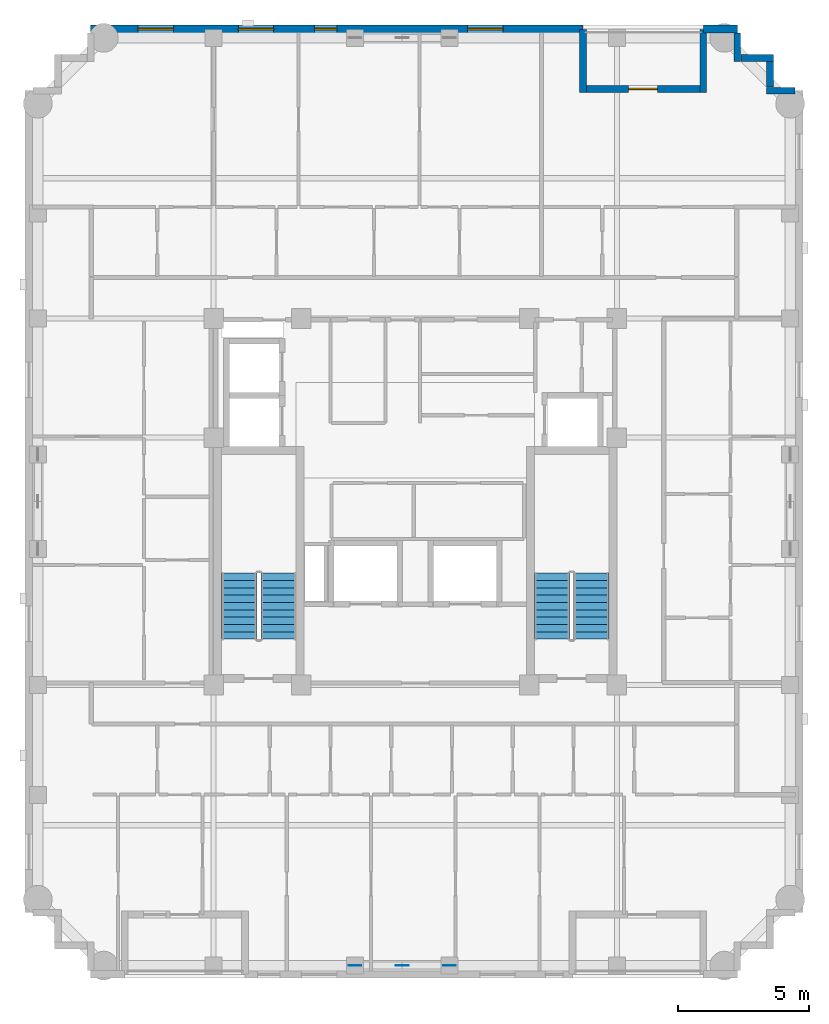
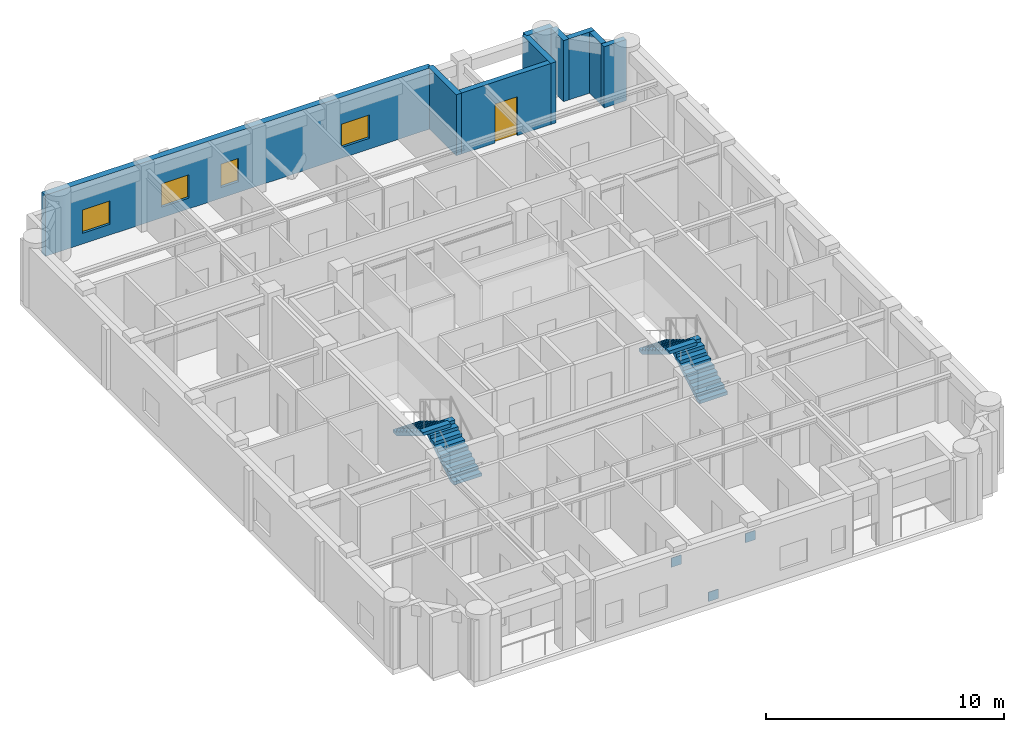
# One storey, part 8 of 11: 9 walls, 4 stair flights, 4 windows, 3 discrete accessories, 1 door, 5 openings, 2 elements without a shape of their own.
"""IFC4 building model written with IfcOpenShell, lengths in metres."""

from ifc_helpers import new_model, si_unit, derived_unit, direction, frame, frame_2d, origin, origin_2d, place, context, subcontext, project, spatial, polyline, rectangle, outline, extrude, material, layer, layer_set, type_object, element, fill, aggregate, save


model = new_model("IFC4")

# Units and contexts
model_context = context("Model", 3, precision=1e-05, world=origin(), true_north=direction((0.0, 1.0)))
body_context = subcontext(model_context, "Body", "Model", "MODEL_VIEW")
ifc_project = project(units=[si_unit("LENGTHUNIT", "METRE"), si_unit("AREAUNIT", "SQUARE_METRE"), si_unit("VOLUMEUNIT", "CUBIC_METRE"), si_unit("PLANEANGLEUNIT", "RADIAN"), si_unit("MASSUNIT", "GRAM", prefix="KILO"), derived_unit("THERMALTRANSMITTANCEUNIT", [(si_unit("MASSUNIT", "GRAM", prefix="KILO"), 1), (si_unit("TIMEUNIT", "SECOND"), -3), (si_unit("THERMODYNAMICTEMPERATUREUNIT", "KELVIN"), -1)])], contexts=[model_context])

# Site, building, storey
site_placement = place(None, origin())
site = spatial("IfcSite", under=ifc_project, at=site_placement, CompositionType="ELEMENT")
building_placement = place(site_placement, origin())
building = spatial("IfcBuilding", under=site, at=building_placement, Name="Korrvale Station Residences", CompositionType="ELEMENT")
storey_placement = place(building_placement, frame((0.0, 0.0, 230.89990234375)))
storey = spatial("IfcBuildingStorey", under=building, at=storey_placement, Name="L67", CompositionType="ELEMENT", Elevation=230.89990234375)

# Wall
ifc_material_1 = material(Name="Precast concrete C45/55", Category="concrete")
ifc_layer_1 = layer(ifc_material_1, 0.260009765625, Name="Precast concrete C45/55")
ifc_layer_set_1 = layer_set([ifc_layer_1], Name="Precast concrete C45/55")
wall_type_1 = type_object("IfcWallType", Name="WAL-EXT-LOG260", PredefinedType="SOLIDWALL", material=ifc_layer_set_1)
wall_1_placement = place(storey_placement, frame((31.89990234375, 40.0400390625, 0.0), z_axis=(0.0, 0.0, 1.0), x_axis=(0.0, -1.0, 0.0)))
element("IfcWall", 1, at=wall_1_placement, inside=storey, type_object=wall_type_1, Name="L67 Recessed Loggia Wall BAL-L67-N1-L", PredefinedType="SOLIDWALL", context=body_context, shape_type="SweptSolid", body=[
    extrude(rectangle(XDim=2.400146484375, YDim=0.260009765625, at=frame_2d((1.2001953125, 0.0))), origin(), (0.0, 0.0, 1.0), 3.14013671875),
])

# Wall, opening, door
wall_2_placement = place(storey_placement, frame((32.033935546875, 37.77001953125, 0.0), z_axis=(0.0, 0.0, 1.0), x_axis=(1.0, 0.0, 0.0)))
wall_2 = element("IfcWall", 2, at=wall_2_placement, inside=storey, type_object=wall_type_1, Name="L67 Recessed Loggia Wall BAL-L67-N1-B", PredefinedType="SOLIDWALL", context=body_context, shape_type="SweptSolid", body=[
    extrude(rectangle(XDim=4.33203125, YDim=0.260009765625, at=frame_2d((2.166015625, 0.0))), origin(), (0.0, 0.0, 1.0), 3.14013671875),
])
opening_1_placement = place(wall_2_placement, frame((1.615966796875, 0.0, 0.0)))
opening_1 = element("IfcOpeningElement", 3, at=opening_1_placement, cuts=wall_2, Name="Opening BD-01", PredefinedType="OPENING", context=body_context, shape_type="SweptSolid", body=[
    extrude(rectangle(XDim=1.10009765625, YDim=2.0, at=frame_2d((0.550048828125, 1.0))), frame((0.0, 0.14013671875, 0.0), z_axis=(0.0, -1.0, 0.0), x_axis=(1.0, 0.0, 0.0)), (0.0, 0.0, 1.0), 0.280029296875),
])
ifc_material_2 = material(Name="Exterior thermally broken aluminium glazed balcony door", Category="aluminium")
door_type = type_object("IfcDoorType", Name="DR-EXT-BAL", OperationType="NOTDEFINED", PredefinedType="DOOR", material=ifc_material_2)
door_placement = place(opening_1_placement, origin())
door = element("IfcDoor", 4, at=door_placement, inside=storey, type_object=door_type, Name="L67 Loggia Balcony Door BAL-L67-N1", OperationType="SINGLE_SWING_RIGHT", OverallHeight=2.0, OverallWidth=1.10009765625, PredefinedType="DOOR", context=body_context, shape_type="SweptSolid", body=[
    extrude(rectangle(XDim=1.10009765625, YDim=2.0, at=frame_2d((0.550048828125, 1.0))), frame((0.0, 0.02490234375, 0.0), z_axis=(0.0, -1.0, 0.0), x_axis=(1.0, 0.0, 0.0)), (0.0, 0.0, 1.0), 0.050048828125),
])
fill(opening_1, door)

# Walls
wall_3_placement = place(storey_placement, frame((36.5, 37.639892578125, 0.0), z_axis=(0.0, 0.0, 1.0), x_axis=(0.0, 1.0, 0.0)))
element("IfcWall", 5, at=wall_3_placement, inside=storey, type_object=wall_type_1, Name="L67 Recessed Loggia Wall BAL-L67-N1-R", PredefinedType="SOLIDWALL", context=body_context, shape_type="SweptSolid", body=[
    extrude(rectangle(XDim=2.400146484375, YDim=0.260009765625, at=frame_2d((1.2001953125, 0.0))), origin(), (0.0, 0.0, 1.0), 3.14013671875),
])
wall_4_placement = place(storey_placement, frame((37.800048828125, 39.89794921875, 0.0), z_axis=(0.0, 0.0, 1.0), x_axis=(0.0, -1.0, 0.0)))
element("IfcWall", 6, at=wall_4_placement, inside=storey, type_object=wall_type_1, Name="L67 Serrated Corner Precast Step NE-1", PredefinedType="SOLIDWALL", context=body_context, shape_type="SweptSolid", body=[
    extrude(rectangle(XDim=1.077880859375, YDim=0.260009765625, at=frame_2d((0.5390625, 0.0))), origin(), (0.0, 0.0, 1.0), 3.14013671875),
])
wall_5_placement = place(storey_placement, frame((37.931884765625, 38.949951171875, 0.0), z_axis=(0.0, 0.0, 1.0), x_axis=(1.0, 0.0, 0.0)))
element("IfcWall", 7, at=wall_5_placement, inside=storey, type_object=wall_type_1, Name="L67 Serrated Corner Precast Step NE-2", PredefinedType="SOLIDWALL", context=body_context, shape_type="SweptSolid", body=[
    extrude(rectangle(XDim=1.248046875, YDim=0.260009765625, at=frame_2d((0.6240234375, 0.0))), origin(), (0.0, 0.0, 1.0), 3.14013671875),
])
wall_6_placement = place(storey_placement, frame((39.050048828125, 38.818115234375, 0.0), z_axis=(0.0, 0.0, 1.0), x_axis=(0.0, -1.0, 0.0)))
element("IfcWall", 8, at=wall_6_placement, inside=storey, type_object=wall_type_1, Name="L67 Serrated Corner Precast Step NE-3", PredefinedType="SOLIDWALL", context=body_context, shape_type="SweptSolid", body=[
    extrude(rectangle(XDim=0.986083984375, YDim=0.260009765625, at=frame_2d((0.4931640625, 0.0))), origin(), (0.0, 0.0, 1.0), 3.14013671875),
])
wall_7_placement = place(storey_placement, frame((38.919921875, 37.699951171875, 0.0), z_axis=(0.0, 0.0, 1.0), x_axis=(1.0, 0.0, 0.0)))
element("IfcWall", 9, at=wall_7_placement, inside=storey, type_object=wall_type_1, Name="L67 Serrated Corner Precast Step NE-4", PredefinedType="SOLIDWALL", context=body_context, shape_type="SweptSolid", body=[
    extrude(rectangle(XDim=1.078125, YDim=0.260009765625, at=frame_2d((0.5390625, 0.0))), origin(), (0.0, 0.0, 1.0), 3.14013671875),
])

# Wall, openings, windows
ifc_layer_2 = layer(ifc_material_1, 0.300048828125, Name="Precast concrete C45/55")
ifc_layer_set_2 = layer_set([ifc_layer_2], Name="Precast concrete C45/55")
wall_type_2 = type_object("IfcWallType", Name="WAL-EXT-PC300", PredefinedType="SOLIDWALL", material=ifc_layer_set_2)
wall_8_placement = place(storey_placement, frame((13.10009765625, 40.050048828125, 0.0), z_axis=(0.0, 0.0, 1.0), x_axis=(1.0, 0.0, 0.0)))
wall_8 = element("IfcWall", 10, at=wall_8_placement, inside=storey, type_object=wall_type_2, Name="L67 North Exterior Precast Wall 1", PredefinedType="SOLIDWALL", context=body_context, shape_type="SweptSolid", body=[
    extrude(rectangle(XDim=18.7998046875, YDim=0.300048828125, at=frame_2d((9.39990234375, 0.0))), origin(), (0.0, 0.0, 1.0), 3.14013671875),
])
opening_2_placement = place(wall_8_placement, frame((1.805908203125, 0.0, 0.550048828125)))
opening_2 = element("IfcOpeningElement", 11, at=opening_2_placement, cuts=wall_8, Name="Opening W-10", PredefinedType="OPENING", context=body_context, shape_type="SweptSolid", body=[
    extrude(rectangle(XDim=1.35009765625, YDim=1.199951171875, at=frame_2d((0.675048828125, 0.60009765625))), frame((0.0, 0.16015625, 0.0), z_axis=(0.0, -1.0, 0.0), x_axis=(1.0, 0.0, 0.0)), (0.0, 0.0, 1.0), 0.320068359375),
])
opening_3_placement = place(wall_8_placement, frame((5.64111328125, 0.0, 0.550048828125)))
opening_3 = element("IfcOpeningElement", 12, at=opening_3_placement, cuts=wall_8, Name="Opening W-10", PredefinedType="OPENING", context=body_context, shape_type="SweptSolid", body=[
    extrude(rectangle(XDim=1.35009765625, YDim=1.199951171875, at=frame_2d((0.675048828125, 0.60009765625))), frame((0.0, 0.16015625, 0.0), z_axis=(0.0, -1.0, 0.0), x_axis=(1.0, 0.0, 0.0)), (0.0, 0.0, 1.0), 0.320068359375),
])
opening_4_placement = place(wall_8_placement, frame((8.550048828125, 0.0, 0.550048828125)))
opening_4 = element("IfcOpeningElement", 13, at=opening_4_placement, cuts=wall_8, Name="Opening W-11", PredefinedType="OPENING", context=body_context, shape_type="SweptSolid", body=[
    extrude(rectangle(XDim=0.85009765625, YDim=1.199951171875, at=frame_2d((0.425048828125, 0.60009765625))), frame((0.0, 0.16015625, 0.0), z_axis=(0.0, -1.0, 0.0), x_axis=(1.0, 0.0, 0.0)), (0.0, 0.0, 1.0), 0.320068359375),
])
opening_5_placement = place(wall_8_placement, frame((14.39990234375, 0.0, 0.550048828125)))
opening_5 = element("IfcOpeningElement", 14, at=opening_5_placement, cuts=wall_8, Name="Opening W-10", PredefinedType="OPENING", context=body_context, shape_type="SweptSolid", body=[
    extrude(rectangle(XDim=1.35009765625, YDim=1.199951171875, at=frame_2d((0.675048828125, 0.60009765625))), frame((0.0, 0.16015625, 0.0), z_axis=(0.0, -1.0, 0.0), x_axis=(1.0, 0.0, 0.0)), (0.0, 0.0, 1.0), 0.320068359375),
])
ifc_material_3 = material(Name="Thermally broken aluminium frame with triple low-e glazing", Category="aluminium")
window_type_1 = type_object("IfcWindowType", Name="WIN-W10", PartitioningType="SINGLE_PANEL", PredefinedType="WINDOW", material=ifc_material_3)
window_1_placement = place(opening_2_placement, origin())
window_1 = element("IfcWindow", 15, at=window_1_placement, inside=storey, type_object=window_type_1, Name="L67 Punched Window 08", OverallHeight=1.199951171875, OverallWidth=1.35009765625, PartitioningType="SINGLE_PANEL", PredefinedType="WINDOW", context=body_context, shape_type="SweptSolid", body=[
    extrude(rectangle(XDim=1.35009765625, YDim=1.199951171875, at=frame_2d((0.675048828125, 0.60009765625))), frame((0.0, 0.030029296875, 0.0), z_axis=(0.0, -1.0, 0.0), x_axis=(1.0, 0.0, 0.0)), (0.0, 0.0, 1.0), 0.06005859375),
])
fill(opening_2, window_1)
window_2_placement = place(opening_3_placement, origin())
window_2 = element("IfcWindow", 16, at=window_2_placement, inside=storey, type_object=window_type_1, Name="L67 Punched Window 09", OverallHeight=1.199951171875, OverallWidth=1.35009765625, PartitioningType="SINGLE_PANEL", PredefinedType="WINDOW", context=body_context, shape_type="SweptSolid", body=[
    extrude(rectangle(XDim=1.35009765625, YDim=1.199951171875, at=frame_2d((0.675048828125, 0.60009765625))), frame((0.0, 0.030029296875, 0.0), z_axis=(0.0, -1.0, 0.0), x_axis=(1.0, 0.0, 0.0)), (0.0, 0.0, 1.0), 0.06005859375),
])
fill(opening_3, window_2)
window_3_placement = place(opening_5_placement, origin())
window_3 = element("IfcWindow", 17, at=window_3_placement, inside=storey, type_object=window_type_1, Name="L67 Punched Window 11", OverallHeight=1.199951171875, OverallWidth=1.35009765625, PartitioningType="SINGLE_PANEL", PredefinedType="WINDOW", context=body_context, shape_type="SweptSolid", body=[
    extrude(rectangle(XDim=1.35009765625, YDim=1.199951171875, at=frame_2d((0.675048828125, 0.60009765625))), frame((0.0, 0.030029296875, 0.0), z_axis=(0.0, -1.0, 0.0), x_axis=(1.0, 0.0, 0.0)), (0.0, 0.0, 1.0), 0.06005859375),
])
fill(opening_5, window_3)
window_type_2 = type_object("IfcWindowType", Name="WIN-W11", PartitioningType="SINGLE_PANEL", PredefinedType="WINDOW", material=ifc_material_3)
window_4_placement = place(opening_4_placement, origin())
window_4 = element("IfcWindow", 18, at=window_4_placement, inside=storey, type_object=window_type_2, Name="L67 Punched Window 10", OverallHeight=1.199951171875, OverallWidth=0.85009765625, PartitioningType="SINGLE_PANEL", PredefinedType="WINDOW", context=body_context, shape_type="SweptSolid", body=[
    extrude(rectangle(XDim=0.85009765625, YDim=1.199951171875, at=frame_2d((0.425048828125, 0.60009765625))), frame((0.0, 0.030029296875, 0.0), z_axis=(0.0, -1.0, 0.0), x_axis=(1.0, 0.0, 0.0)), (0.0, 0.0, 1.0), 0.06005859375),
])
fill(opening_4, window_4)

# Wall
wall_9_placement = place(storey_placement, frame((36.5, 40.050048828125, 0.0), z_axis=(0.0, 0.0, 1.0), x_axis=(1.0, 0.0, 0.0)))
element("IfcWall", 19, at=wall_9_placement, inside=storey, type_object=wall_type_2, Name="L67 North Exterior Precast Wall 2", PredefinedType="SOLIDWALL", context=body_context, shape_type="SweptSolid", body=[
    extrude(rectangle(XDim=1.300048828125, YDim=0.300048828125, at=frame_2d((0.64990234375, 0.0))), origin(), (0.0, 0.0, 1.0), 3.14013671875),
])

# Stair, stair flights
ifc_material_4 = material(Name="Concrete C50/60", Category="concrete")
stair_type = type_object("IfcStairType", Name="STR-DL-1350-20R-1700", PredefinedType="HALF_TURN_STAIR", material=ifc_material_4)
stair_1_placement = place(storey_placement, origin())
stair_1 = element("IfcStair", 20, at=stair_1_placement, inside=storey, type_object=stair_type, Name="L67 Exit Stair 1", PredefinedType="HALF_TURN_STAIR")
stair_flight_type = type_object("IfcStairFlightType", Name="FLT-DL-1350-20R-1700", PredefinedType="STRAIGHT", material=ifc_material_4)
stair_flight_1_placement = place(storey_placement, frame((20.27490234375, 16.75, 0.0), z_axis=(0.0, 0.0, 1.0), x_axis=(0.0, 1.0, 0.0)))
stair_flight_1 = element("IfcStairFlight", 21, at=stair_flight_1_placement, type_object=stair_flight_type, Name="ST-1 flight 1", NumberOfRisers=10, NumberOfTreads=9, PredefinedType="STRAIGHT", RiserHeight=0.17, TreadLength=0.28, context=body_context, shape_type="SweptSolid", body=[
    extrude(outline(polyline([(0.0, 0.0), (0.0, 0.169921875), (0.280029296875, 0.169921875), (0.280029296875, 0.340087890625), (0.56005859375, 0.340087890625), (0.56005859375, 0.510009765625), (0.840087890625, 0.510009765625), (0.840087890625, 0.679931640625), (1.1201171875, 0.679931640625), (1.1201171875, 0.85009765625), (1.39990234375, 0.85009765625), (1.39990234375, 1.02001953125), (1.679931640625, 1.02001953125), (1.679931640625, 1.18994140625), (1.9599609375, 1.18994140625), (1.9599609375, 1.360107421875), (2.239990234375, 1.360107421875), (2.239990234375, 1.530029296875), (2.52001953125, 1.530029296875), (2.52001953125, 1.699951171875), (2.52001953125, 1.354736328125), (0.288818359375, 0.0), (0.0, 0.0)])), frame((0.0, 0.675048828125, 0.0), z_axis=(0.0, -1.0, 0.0), x_axis=(1.0, 0.0, 0.0)), (0.0, 0.0, 1.0), 1.35009765625),
])
stair_flight_2_placement = place(storey_placement, frame((18.77490234375, 19.27001953125, 1.7001953125), z_axis=(0.0, 0.0, 1.0), x_axis=(0.0, -1.0, 0.0)))
stair_flight_2 = element("IfcStairFlight", 22, at=stair_flight_2_placement, type_object=stair_flight_type, Name="ST-1 flight 2", NumberOfRisers=10, NumberOfTreads=9, PredefinedType="STRAIGHT", RiserHeight=0.17, TreadLength=0.28, context=body_context, shape_type="SweptSolid", body=[
    extrude(outline(polyline([(0.0, 0.0), (0.0, 0.169921875), (0.280029296875, 0.169921875), (0.280029296875, 0.340087890625), (0.56005859375, 0.340087890625), (0.56005859375, 0.510009765625), (0.840087890625, 0.510009765625), (0.840087890625, 0.679931640625), (1.1201171875, 0.679931640625), (1.1201171875, 0.85009765625), (1.39990234375, 0.85009765625), (1.39990234375, 1.02001953125), (1.679931640625, 1.02001953125), (1.679931640625, 1.18994140625), (1.9599609375, 1.18994140625), (1.9599609375, 1.360107421875), (2.239990234375, 1.360107421875), (2.239990234375, 1.530029296875), (2.52001953125, 1.530029296875), (2.52001953125, 1.699951171875), (2.52001953125, 1.354736328125), (0.288818359375, 0.0), (0.0, 0.0)])), frame((0.0, 0.675048828125, 0.0), z_axis=(0.0, -1.0, 0.0), x_axis=(1.0, 0.0, 0.0)), (0.0, 0.0, 1.0), 1.35009765625),
])
aggregate(stair_1, [stair_flight_1, stair_flight_2])

stair_2_placement = place(storey_placement, origin())
stair_2 = element("IfcStair", 23, at=stair_2_placement, inside=storey, type_object=stair_type, Name="L67 Exit Stair 2", PredefinedType="HALF_TURN_STAIR")
stair_flight_3_placement = place(storey_placement, frame((32.22509765625, 16.75, 0.0), z_axis=(0.0, 0.0, 1.0), x_axis=(0.0, 1.0, 0.0)))
stair_flight_3 = element("IfcStairFlight", 24, at=stair_flight_3_placement, type_object=stair_flight_type, Name="ST-2 flight 1", NumberOfRisers=10, NumberOfTreads=9, PredefinedType="STRAIGHT", RiserHeight=0.17, TreadLength=0.28, context=body_context, shape_type="SweptSolid", body=[
    extrude(outline(polyline([(0.0, 0.0), (0.0, 0.169921875), (0.280029296875, 0.169921875), (0.280029296875, 0.340087890625), (0.56005859375, 0.340087890625), (0.56005859375, 0.510009765625), (0.840087890625, 0.510009765625), (0.840087890625, 0.679931640625), (1.1201171875, 0.679931640625), (1.1201171875, 0.85009765625), (1.39990234375, 0.85009765625), (1.39990234375, 1.02001953125), (1.679931640625, 1.02001953125), (1.679931640625, 1.18994140625), (1.9599609375, 1.18994140625), (1.9599609375, 1.360107421875), (2.239990234375, 1.360107421875), (2.239990234375, 1.530029296875), (2.52001953125, 1.530029296875), (2.52001953125, 1.699951171875), (2.52001953125, 1.354736328125), (0.288818359375, 0.0), (0.0, 0.0)])), frame((0.0, 0.675048828125, 0.0), z_axis=(0.0, -1.0, 0.0), x_axis=(1.0, 0.0, 0.0)), (0.0, 0.0, 1.0), 1.35009765625),
])
stair_flight_4_placement = place(storey_placement, frame((30.72509765625, 19.27001953125, 1.7001953125), z_axis=(0.0, 0.0, 1.0), x_axis=(0.0, -1.0, 0.0)))
stair_flight_4 = element("IfcStairFlight", 25, at=stair_flight_4_placement, type_object=stair_flight_type, Name="ST-2 flight 2", NumberOfRisers=10, NumberOfTreads=9, PredefinedType="STRAIGHT", RiserHeight=0.17, TreadLength=0.28, context=body_context, shape_type="SweptSolid", body=[
    extrude(outline(polyline([(0.0, 0.0), (0.0, 0.169921875), (0.280029296875, 0.169921875), (0.280029296875, 0.340087890625), (0.56005859375, 0.340087890625), (0.56005859375, 0.510009765625), (0.840087890625, 0.510009765625), (0.840087890625, 0.679931640625), (1.1201171875, 0.679931640625), (1.1201171875, 0.85009765625), (1.39990234375, 0.85009765625), (1.39990234375, 1.02001953125), (1.679931640625, 1.02001953125), (1.679931640625, 1.18994140625), (1.9599609375, 1.18994140625), (1.9599609375, 1.360107421875), (2.239990234375, 1.360107421875), (2.239990234375, 1.530029296875), (2.52001953125, 1.530029296875), (2.52001953125, 1.699951171875), (2.52001953125, 1.354736328125), (0.288818359375, 0.0), (0.0, 0.0)])), frame((0.0, 0.675048828125, 0.0), z_axis=(0.0, -1.0, 0.0), x_axis=(1.0, 0.0, 0.0)), (0.0, 0.0, 1.0), 1.35009765625),
])
aggregate(stair_2, [stair_flight_3, stair_flight_4])

# Discrete accessories
ifc_material_5 = material(Name="Steel S355", Category="steel")
ifc_layer_3 = layer(ifc_material_5, 0.02490234375, Name="Steel S355")
ifc_layer_set_3 = layer_set([ifc_layer_3], Name="Steel S355")
discrete_accessory_type = type_object("IfcDiscreteAccessoryType", Name="ACC-GUSSET-25", PredefinedType="BRACKET", material=ifc_layer_set_3)
for number, where, z_axis, x_axis, name in (
    (26, (25.0, 4.280029296875, -0.219970703125), (0.0, 0.0, 1.0), (1.0, 0.0, 0.0), "L67 S Brace End Gusset Connection M"),
    (27, (23.199951171875, 4.280029296875, 2.170166015625), (0.0, 0.0, 1.0), (1.0, 0.0, 0.0), "L67 S Brace End Gusset Connection A"),
    (28, (26.800048828125, 4.280029296875, 2.170166015625), (0.0, 0.0, 1.0), (1.0, 0.0, 0.0), "L67 S Brace End Gusset Connection B"),
):
    element("IfcDiscreteAccessory", number, at=place(storey_placement, frame(where, z_axis=z_axis, x_axis=x_axis)), inside=storey, type_object=discrete_accessory_type, Name=name, PredefinedType="BRACKET", context=body_context, shape_type="SweptSolid", body=[
        extrude(rectangle(XDim=0.47998046875, YDim=0.02490234375, at=origin_2d()), origin(), (0.0, 0.0, 1.0), 0.47998046875),
    ])

save(model, "model.ifc")
